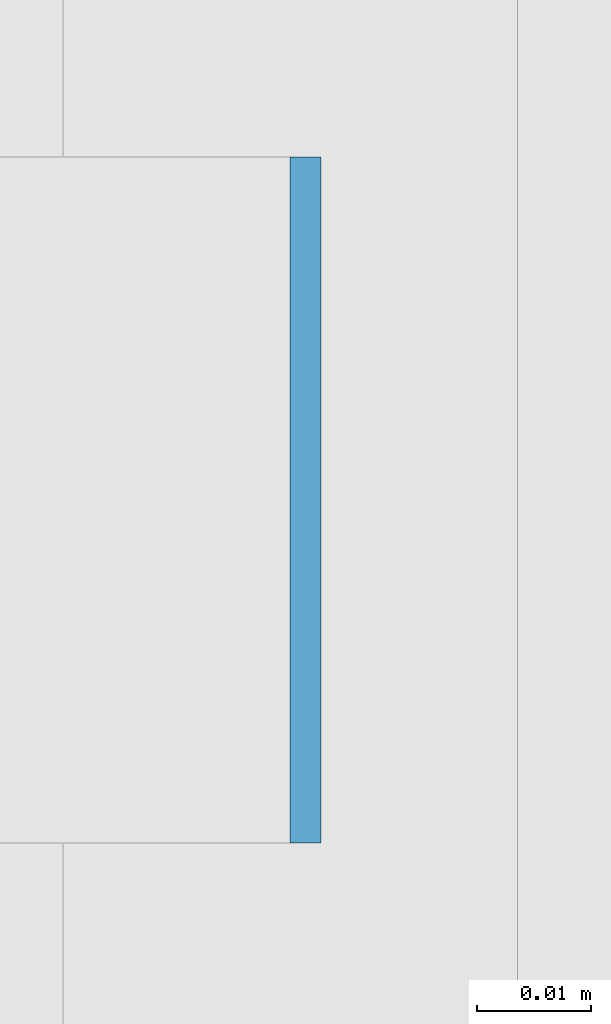
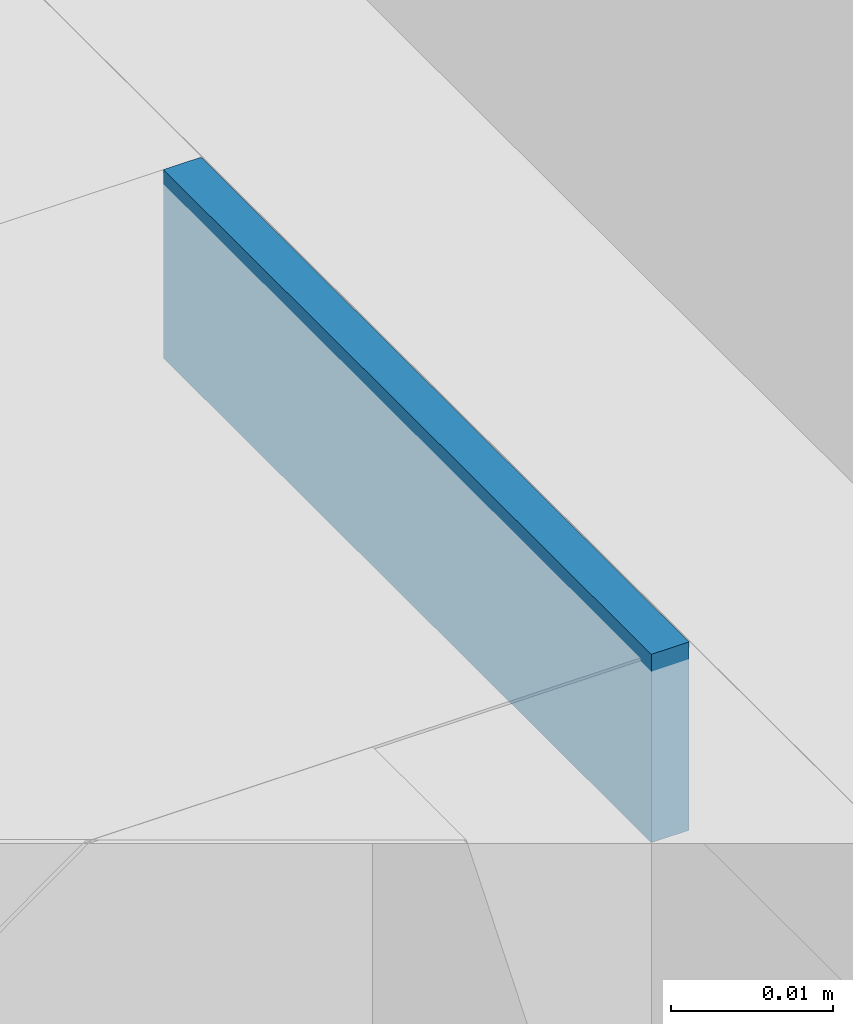
# One storey, part 313 of 646: 1 discrete accessory.
"""IFC4 building model written with IfcOpenShell, lengths in metres."""

import ifcopenshell
import ifcopenshell.guid

model = None  # the IFC model being written
_history = None  # IfcOwnerHistory: only IFC2X3 demands one
_inside = {}  # id of a spatial element -> (the spatial element, [elements in it])
_under = {}  # id of a project, library or spatial element -> (it, [spatial elements below it])
_declared = {}  # id of a project -> (the project, [libraries it declares])
_typed = {}  # id of a type object -> (the type object, [elements of that type])
_made_of = {}  # id of a material, layer set ... -> (it, [elements and type objects made of it])


def new_model(schema):
    """Start an empty IFC model of exactly this schema.

    Asked for "IFC4X3", IfcOpenShell would pick the latest addendum, in which some entities
    have other attributes; the version numbers below select the first issue.
    IFC2X3 requires an IfcOwnerHistory on every rooted entity: one is made here for all.
    """
    global model, _history
    if schema == "IFC4X3":
        model = ifcopenshell.file(schema_version=(4, 3, 0, 0))
    else:
        model = ifcopenshell.file(schema=schema)
    _inside.clear()
    _under.clear()
    _declared.clear()
    _typed.clear()
    _made_of.clear()
    _history = None
    if model.schema == "IFC2X3":
        org = make("IfcOrganization", Name="unknown")
        user = make(
            "IfcPersonAndOrganization",
            ThePerson=make("IfcPerson", FamilyName="unknown"),
            TheOrganization=org,
        )
        app = make(
            "IfcApplication",
            ApplicationDeveloper=org,
            Version="unknown",
            ApplicationFullName="unknown",
            ApplicationIdentifier="unknown",
        )
        _history = make(
            "IfcOwnerHistory",
            OwningUser=user,
            OwningApplication=app,
            ChangeAction="ADDED",
            CreationDate=0,
        )
    return model


def make(cls, **values):
    """One entity of the class cls with the attributes given. An attribute that is None is left unset."""
    return model.create_entity(
        cls, **{name: value for name, value in values.items() if value is not None}
    )


def rooted(cls, **values):
    """An entity with a GlobalId (a new one), such as an element, a storey or a relation."""
    return make(cls, GlobalId=ifcopenshell.guid.new(), OwnerHistory=_history, **values)


def si_unit(unit_type, name, prefix=None):
    """IfcSIUnit, for example si_unit("LENGTHUNIT", "METRE", prefix="MILLI")."""
    return make("IfcSIUnit", UnitType=unit_type, Prefix=prefix, Name=name)


def assignment(units):
    """IfcUnitAssignment: the units of a project."""
    return None if units is None else make("IfcUnitAssignment", Units=units)


def point(xyz):
    """IfcCartesianPoint."""
    return None if xyz is None else make("IfcCartesianPoint", Coordinates=xyz)


def direction(xyz):
    """IfcDirection."""
    return None if xyz is None else make("IfcDirection", DirectionRatios=xyz)


def frame(location, z_axis=None, x_axis=None):
    """IfcAxis2Placement3D, a coordinate frame: its origin and axes. An axis left out is left unset."""
    return make(
        "IfcAxis2Placement3D",
        Location=point(location),
        Axis=direction(z_axis),
        RefDirection=direction(x_axis),
    )


def frame_2d(location, x_axis=None):
    """IfcAxis2Placement2D, a coordinate frame in the plane: its origin and x axis."""
    return make(
        "IfcAxis2Placement2D", Location=point(location), RefDirection=direction(x_axis)
    )


def origin():
    """The frame at (0, 0, 0) with its axes left unset."""
    return frame((0.0, 0.0, 0.0))


def origin_2d():
    """The frame at (0, 0) in the plane with its x axis left unset."""
    return frame_2d((0.0, 0.0))


def place(relative_to, where):
    """IfcLocalPlacement: puts the frame where relative to a parent placement (None: the world)."""
    return make(
        "IfcLocalPlacement", PlacementRelTo=relative_to, RelativePlacement=where
    )


def context(
    kind, dimensions, precision=None, world=None, true_north=None, identifier=None
):
    """IfcGeometricRepresentationContext, for example the 3D "Model" context."""
    return make(
        "IfcGeometricRepresentationContext",
        ContextIdentifier=identifier,
        ContextType=kind,
        CoordinateSpaceDimension=dimensions,
        Precision=precision,
        WorldCoordinateSystem=world,
        TrueNorth=true_north,
    )


def subcontext(parent, identifier, kind, view, scale=None):
    """IfcGeometricRepresentationSubContext, for example "Body" below "Model"."""
    return make(
        "IfcGeometricRepresentationSubContext",
        ContextIdentifier=identifier,
        ContextType=kind,
        ParentContext=parent,
        TargetScale=scale,
        TargetView=view,
    )


def project(units=None, contexts=None):
    """IfcProject with its units and contexts."""
    return rooted(
        "IfcProject",
        Name="project",
        RepresentationContexts=contexts,
        UnitsInContext=assignment(units),
    )


def spatial(cls, under=None, at=None, **own):
    """A site, building, storey or space (cls), placed at a placement, below another one or the project."""
    s = rooted(cls, ObjectPlacement=at, **own)
    if under is not None:
        _under.setdefault(under.id(), (under, []))[1].append(s)
    return s


def profile(cls, at=None, kind="AREA", **sizes):
    """A parametric profile (cls). Its sizes go by their IFC names, for example OverallWidth=200.0."""
    return make(cls, ProfileType=kind, Position=at, **sizes)


def rectangle(**sizes):
    """IfcRectangleProfileDef."""
    return profile("IfcRectangleProfileDef", **sizes)


def extrude(swept, where, along, depth):
    """IfcExtrudedAreaSolid: the profile swept, set in the frame where, extruded along a direction by depth."""
    return make(
        "IfcExtrudedAreaSolid",
        SweptArea=swept,
        Position=where,
        ExtrudedDirection=direction(along),
        Depth=depth,
    )


def shape(context_of_items, identifier, shape_type, items):
    """IfcShapeRepresentation: the items that make up one representation, for example the "Body"."""
    return make(
        "IfcShapeRepresentation",
        ContextOfItems=context_of_items,
        RepresentationIdentifier=identifier,
        RepresentationType=shape_type,
        Items=items,
    )


def material(Name=None, Category=None):
    """IfcMaterial."""
    return make("IfcMaterial", Name=Name, Category=Category)


def made_of(thing, what):
    """Note that an element or type object is made of a material, layer set ...; save() writes the relation."""
    if what is not None:
        _made_of.setdefault(what.id(), (what, []))[1].append(thing)
    return thing


def type_object(cls, material=None, **own):
    """A type object (cls), such as IfcWallType, which elements share."""
    return made_of(rooted(cls, **own), material)


def element(
    cls,
    number,
    at=None,
    inside=None,
    cuts=None,
    type_object=None,
    material=None,
    context=None,
    identifier="Body",
    shape_type=None,
    held_by="IfcProductDefinitionShape",
    body=None,
    shapes=None,
    **own,
):
    """One element of the class cls, such as IfcWall. Its Tag is "e" and its number.

    at: its placement. inside: the storey or other place that contains it. cuts: it is an
    opening in that element (IfcRelVoidsElement). A single representation is given by context,
    identifier, shape_type and body (its items); several are given by shapes. held_by: the class
    of the entity that holds the representations. save() writes the other relations.
    """
    e = rooted(cls, Tag="e%d" % number, ObjectPlacement=at, **own)
    if body is not None:
        shapes = [shape(context, identifier, shape_type, body)]
    if shapes is not None:
        e.Representation = make(held_by, Representations=shapes)
    if inside is not None:
        _inside.setdefault(inside.id(), (inside, []))[1].append(e)
    if cuts is not None:
        rooted(
            "IfcRelVoidsElement", RelatingBuildingElement=cuts, RelatedOpeningElement=e
        )
    if type_object is not None:
        _typed.setdefault(type_object.id(), (type_object, []))[1].append(e)
    return made_of(e, material)


def aggregate(whole, parts):
    """IfcRelAggregates: a whole, such as a stair, and the parts it consists of."""
    return rooted("IfcRelAggregates", RelatingObject=whole, RelatedObjects=parts)


def save(model, path):
    """Write the relations noted so far, then the file.

    IfcRelAggregates (storeys below a building ...), IfcRelContainedInSpatialStructure (elements
    in a storey), IfcRelDefinesByType, IfcRelAssociatesMaterial and IfcRelDeclares: one each for
    every whole, place, type object, material and project.
    """
    for whole, parts in _under.values():
        aggregate(whole, parts)
    for where, things in _inside.values():
        rooted(
            "IfcRelContainedInSpatialStructure",
            RelatedElements=things,
            RelatingStructure=where,
        )
    for kind, things in _typed.values():
        rooted("IfcRelDefinesByType", RelatedObjects=things, RelatingType=kind)
    for what, things in _made_of.values():
        rooted("IfcRelAssociatesMaterial", RelatedObjects=things, RelatingMaterial=what)
    for by, libraries in _declared.values():
        rooted("IfcRelDeclares", RelatingContext=by, RelatedDefinitions=libraries)
    model.write(path)


model = new_model("IFC4")

# Units and contexts
model_context = context("Model", 3, precision=1e-05, world=origin(), true_north=direction((0.0, 1.0)))
body_context = subcontext(model_context, "Body", "Model", "MODEL_VIEW")
ifc_project = project(units=[si_unit("LENGTHUNIT", "METRE"), si_unit("AREAUNIT", "SQUARE_METRE"), si_unit("VOLUMEUNIT", "CUBIC_METRE"), si_unit("PLANEANGLEUNIT", "RADIAN"), si_unit("MASSUNIT", "GRAM", prefix="KILO")], contexts=[model_context])

# Site, building, storey
site_placement = place(None, origin())
site = spatial("IfcSite", under=ifc_project, at=site_placement, CompositionType="ELEMENT")
building_placement = place(site_placement, origin())
building = spatial("IfcBuilding", under=site, at=building_placement, Name="Silverbay Arena", CompositionType="ELEMENT")
storey_placement = place(building_placement, frame((0.0, 0.0, 33.5)))
storey = spatial("IfcBuildingStorey", under=building, at=storey_placement, Name="L05", CompositionType="ELEMENT", Elevation=33.5)

# Discrete accessory
ifc_material = material(Name="Steel S355", Category="steel")
discrete_accessory_type = type_object("IfcDiscreteAccessoryType", Name="Steel bracket plate", PredefinedType="BRACKET", material=ifc_material)
discrete_accessory_placement = place(storey_placement, frame((53.871337890625, 70.71435546875, 12.98583984375), z_axis=(0.0, 0.0, 1.0), x_axis=(1.0, 0.0, 0.0)))
element("IfcDiscreteAccessory", 1, at=discrete_accessory_placement, inside=storey, type_object=discrete_accessory_type, Name="Curtain wall packing plate", PredefinedType="BRACKET", context=body_context, shape_type="SweptSolid", body=[
    extrude(rectangle(XDim=0.002685546875, YDim=0.06005859375, at=origin_2d()), origin(), (0.0, 0.0, 1.0), 0.01416015625),
])

save(model, "model.ifc")
